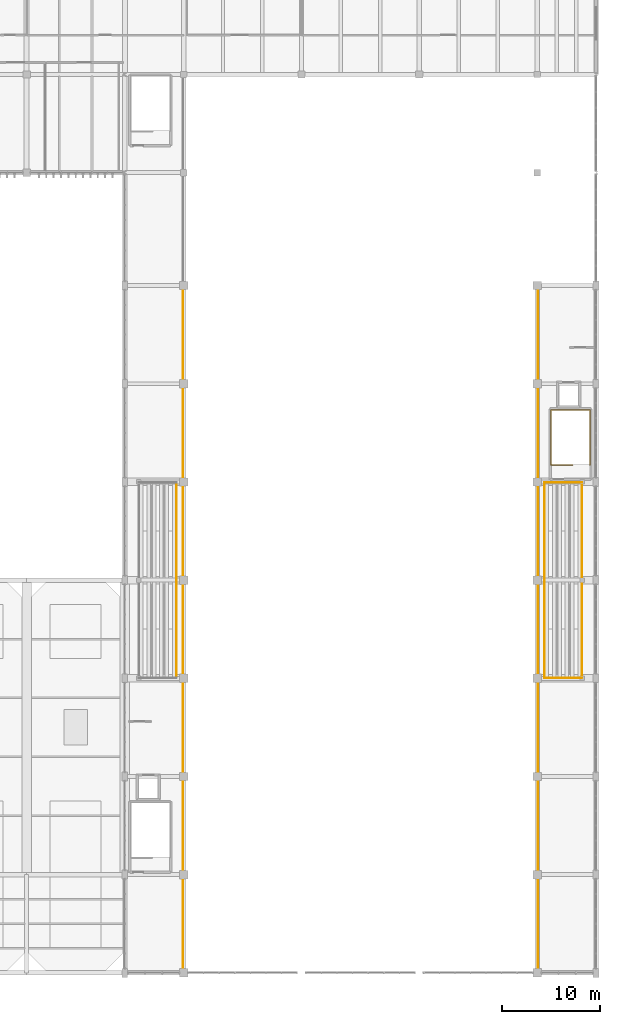
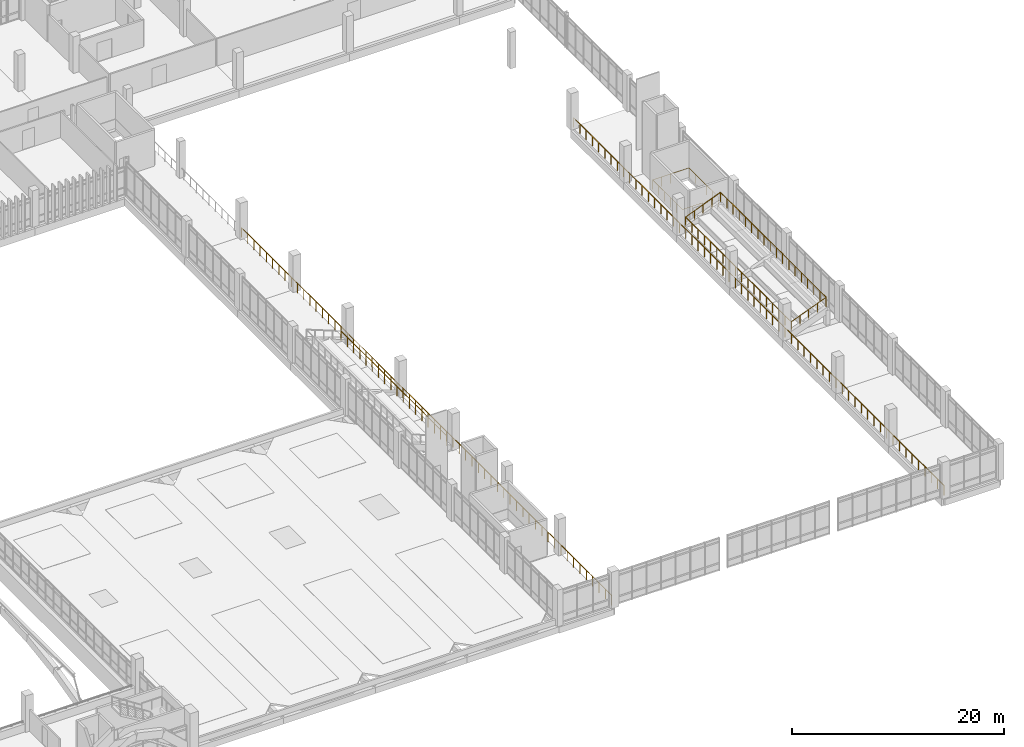
# One storey, part 160 of 161: 12 railings.
"""IFC4 building model written with IfcOpenShell, lengths in metres."""

from ifc_helpers import new_model, si_unit, direction, frame, origin, origin_2d, place, context, subcontext, project, spatial, circle, extrude, material, type_object, element, save


model = new_model("IFC4")

# Units and contexts
model_context = context("Model", 3, precision=1e-05, world=origin(), true_north=direction((0.0, 1.0)))
body_context = subcontext(model_context, "Body", "Model", "MODEL_VIEW")
ifc_project = project(units=[si_unit("LENGTHUNIT", "METRE"), si_unit("AREAUNIT", "SQUARE_METRE"), si_unit("VOLUMEUNIT", "CUBIC_METRE"), si_unit("PLANEANGLEUNIT", "RADIAN"), si_unit("MASSUNIT", "GRAM", prefix="KILO")], contexts=[model_context])

# Site, building, storey
site_placement = place(None, origin())
site = spatial("IfcSite", under=ifc_project, at=site_placement, CompositionType="ELEMENT")
building_placement = place(site_placement, origin())
building = spatial("IfcBuilding", under=site, at=building_placement, Name="Mersad Railyard Sports Hall", CompositionType="ELEMENT")
storey_placement = place(building_placement, frame((0.0, 0.0, 4.800048828125)))
storey = spatial("IfcBuildingStorey", under=building, at=storey_placement, Name="L01", CompositionType="ELEMENT", Elevation=4.800048828125)

# Railings
ifc_material = material(Name="Steel S355", Category="steel")
railing_type = type_object("IfcRailingType", Name="ARC-RL-GR01", PredefinedType="GUARDRAIL", material=ifc_material)
railing_1_placement = place(storey_placement, frame((176.610107421875, 55.2099609375, 0.0)))
element("IfcRailing", 1, at=railing_1_placement, inside=storey, type_object=railing_type, Name="Interior guard GR01-0150", PredefinedType="GUARDRAIL", context=body_context, shape_type="SweptSolid", body=[
    extrude(circle(Radius=0.02392578125, at=origin_2d()), frame((0.0, 0.0, 1.09619140625), z_axis=(-1.0, 0.0, 0.0), x_axis=(0.0, -1.0, 0.0)), (0.0, 0.0, 1.0), 2.190185546875),
    extrude(circle(Radius=0.02392578125, at=origin_2d()), frame((-2.190185546875, 0.0, 1.09619140625), z_axis=(0.0, 1.0, 0.0), x_axis=(-1.0, 0.0, 0.0)), (0.0, 0.0, 1.0), 5.6201171875),
    extrude(circle(Radius=0.02392578125, at=origin_2d()), frame((-2.190185546875, 5.6201171875, 1.09619140625), z_axis=(1.0, 0.0, 0.0), x_axis=(0.0, 1.0, 0.0)), (0.0, 0.0, 1.0), 3.9599609375),
    extrude(circle(Radius=0.02392578125, at=origin_2d()), frame((1.769775390625, 5.6201171875, 1.09619140625), z_axis=(0.0, -1.0, 0.0), x_axis=(1.0, 0.0, 0.0)), (0.0, 0.0, 1.0), 5.6201171875),
    extrude(circle(Radius=0.02099609375, at=origin_2d()), origin(), (0.0, 0.0, 1.0), 1.072021484375),
    extrude(circle(Radius=0.02099609375, at=origin_2d()), frame((-1.09521484375, 0.0, 0.0)), (0.0, 0.0, 1.0), 1.072021484375),
    extrude(circle(Radius=0.02099609375, at=origin_2d()), frame((-2.190185546875, 0.0, 0.0)), (0.0, 0.0, 1.0), 1.072021484375),
    extrude(circle(Radius=0.02099609375, at=origin_2d()), frame((-2.190185546875, 1.1240234375, 0.0)), (0.0, 0.0, 1.0), 1.072021484375),
    extrude(circle(Radius=0.02099609375, at=origin_2d()), frame((-2.190185546875, 2.248046875, 0.0)), (0.0, 0.0, 1.0), 1.072021484375),
    extrude(circle(Radius=0.02099609375, at=origin_2d()), frame((-2.190185546875, 3.3720703125, 0.0)), (0.0, 0.0, 1.0), 1.072021484375),
    extrude(circle(Radius=0.02099609375, at=origin_2d()), frame((-2.190185546875, 4.49609375, 0.0)), (0.0, 0.0, 1.0), 1.072021484375),
    extrude(circle(Radius=0.02099609375, at=origin_2d()), frame((-2.190185546875, 5.6201171875, 0.0)), (0.0, 0.0, 1.0), 1.072021484375),
    extrude(circle(Radius=0.02099609375, at=origin_2d()), frame((-1.2001953125, 5.6201171875, 0.0)), (0.0, 0.0, 1.0), 1.072021484375),
    extrude(circle(Radius=0.02099609375, at=origin_2d()), frame((-0.210205078125, 5.6201171875, 0.0)), (0.0, 0.0, 1.0), 1.072021484375),
    extrude(circle(Radius=0.02099609375, at=origin_2d()), frame((0.77978515625, 5.6201171875, 0.0)), (0.0, 0.0, 1.0), 1.072021484375),
    extrude(circle(Radius=0.02099609375, at=origin_2d()), frame((1.769775390625, 5.6201171875, 0.0)), (0.0, 0.0, 1.0), 1.072021484375),
    extrude(circle(Radius=0.02099609375, at=origin_2d()), frame((1.769775390625, 4.49609375, 0.0)), (0.0, 0.0, 1.0), 1.072021484375),
    extrude(circle(Radius=0.02099609375, at=origin_2d()), frame((1.769775390625, 3.3720703125, 0.0)), (0.0, 0.0, 1.0), 1.072021484375),
    extrude(circle(Radius=0.02099609375, at=origin_2d()), frame((1.769775390625, 2.248046875, 0.0)), (0.0, 0.0, 1.0), 1.072021484375),
    extrude(circle(Radius=0.02099609375, at=origin_2d()), frame((1.769775390625, 1.1240234375, 0.0)), (0.0, 0.0, 1.0), 1.072021484375),
    extrude(circle(Radius=0.02099609375, at=origin_2d()), frame((1.769775390625, 0.0, 0.0)), (0.0, 0.0, 1.0), 1.072021484375),
])
railing_2_placement = place(storey_placement, frame((136.919921875, 3.60009765625, 0.0)))
element("IfcRailing", 2, at=railing_2_placement, inside=storey, type_object=railing_type, Name="Interior guard GR01-0182", PredefinedType="GUARDRAIL", context=body_context, shape_type="SweptSolid", body=[
    extrude(circle(Radius=0.02392578125, at=origin_2d()), frame((0.0, 0.0, 1.09619140625), z_axis=(0.0, 1.0, 0.0), x_axis=(-1.0, 0.0, 0.0)), (0.0, 0.0, 1.0), 29.949951171875),
    extrude(circle(Radius=0.02099609375, at=origin_2d()), origin(), (0.0, 0.0, 1.0), 1.072021484375),
    extrude(circle(Radius=0.02099609375, at=origin_2d()), frame((0.0, 1.197998046875, 0.0)), (0.0, 0.0, 1.0), 1.072021484375),
    extrude(circle(Radius=0.02099609375, at=origin_2d()), frame((0.0, 2.39599609375, 0.0)), (0.0, 0.0, 1.0), 1.072021484375),
    extrude(circle(Radius=0.02099609375, at=origin_2d()), frame((0.0, 3.593994140625, 0.0)), (0.0, 0.0, 1.0), 1.072021484375),
    extrude(circle(Radius=0.02099609375, at=origin_2d()), frame((0.0, 4.7919921875, 0.0)), (0.0, 0.0, 1.0), 1.072021484375),
    extrude(circle(Radius=0.02099609375, at=origin_2d()), frame((0.0, 5.989990234375, 0.0)), (0.0, 0.0, 1.0), 1.072021484375),
    extrude(circle(Radius=0.02099609375, at=origin_2d()), frame((0.0, 7.18798828125, 0.0)), (0.0, 0.0, 1.0), 1.072021484375),
    extrude(circle(Radius=0.02099609375, at=origin_2d()), frame((0.0, 8.385986328125, 0.0)), (0.0, 0.0, 1.0), 1.072021484375),
    extrude(circle(Radius=0.02099609375, at=origin_2d()), frame((0.0, 9.583984375, 0.0)), (0.0, 0.0, 1.0), 1.072021484375),
    extrude(circle(Radius=0.02099609375, at=origin_2d()), frame((0.0, 10.781982421875, 0.0)), (0.0, 0.0, 1.0), 1.072021484375),
    extrude(circle(Radius=0.02099609375, at=origin_2d()), frame((0.0, 11.97998046875, 0.0)), (0.0, 0.0, 1.0), 1.072021484375),
    extrude(circle(Radius=0.02099609375, at=origin_2d()), frame((0.0, 13.177978515625, 0.0)), (0.0, 0.0, 1.0), 1.072021484375),
    extrude(circle(Radius=0.02099609375, at=origin_2d()), frame((0.0, 14.3759765625, 0.0)), (0.0, 0.0, 1.0), 1.072021484375),
    extrude(circle(Radius=0.02099609375, at=origin_2d()), frame((0.0, 15.573974609375, 0.0)), (0.0, 0.0, 1.0), 1.072021484375),
    extrude(circle(Radius=0.02099609375, at=origin_2d()), frame((0.0, 16.77197265625, 0.0)), (0.0, 0.0, 1.0), 1.072021484375),
    extrude(circle(Radius=0.02099609375, at=origin_2d()), frame((0.0, 17.969970703125, 0.0)), (0.0, 0.0, 1.0), 1.072021484375),
    extrude(circle(Radius=0.02099609375, at=origin_2d()), frame((0.0, 19.16796875, 0.0)), (0.0, 0.0, 1.0), 1.072021484375),
    extrude(circle(Radius=0.02099609375, at=origin_2d()), frame((0.0, 20.365966796875, 0.0)), (0.0, 0.0, 1.0), 1.072021484375),
    extrude(circle(Radius=0.02099609375, at=origin_2d()), frame((0.0, 21.56396484375, 0.0)), (0.0, 0.0, 1.0), 1.072021484375),
    extrude(circle(Radius=0.02099609375, at=origin_2d()), frame((0.0, 22.761962890625, 0.0)), (0.0, 0.0, 1.0), 1.072021484375),
    extrude(circle(Radius=0.02099609375, at=origin_2d()), frame((0.0, 23.9599609375, 0.0)), (0.0, 0.0, 1.0), 1.072021484375),
    extrude(circle(Radius=0.02099609375, at=origin_2d()), frame((0.0, 25.157958984375, 0.0)), (0.0, 0.0, 1.0), 1.072021484375),
    extrude(circle(Radius=0.02099609375, at=origin_2d()), frame((0.0, 26.35595703125, 0.0)), (0.0, 0.0, 1.0), 1.072021484375),
    extrude(circle(Radius=0.02099609375, at=origin_2d()), frame((0.0, 27.553955078125, 0.0)), (0.0, 0.0, 1.0), 1.072021484375),
    extrude(circle(Radius=0.02099609375, at=origin_2d()), frame((0.0, 28.751953125, 0.0)), (0.0, 0.0, 1.0), 1.072021484375),
    extrude(circle(Radius=0.02099609375, at=origin_2d()), frame((0.0, 29.949951171875, 0.0)), (0.0, 0.0, 1.0), 1.072021484375),
])
railing_3_placement = place(storey_placement, frame((136.919921875, 53.449951171875, 0.0)))
element("IfcRailing", 3, at=railing_3_placement, inside=storey, type_object=railing_type, Name="Interior guard GR01-0183", PredefinedType="GUARDRAIL", context=body_context, shape_type="SweptSolid", body=[
    extrude(circle(Radius=0.02392578125, at=origin_2d()), frame((0.0, 0.0, 1.09619140625), z_axis=(0.0, 1.0, 0.0), x_axis=(-1.0, 0.0, 0.0)), (0.0, 0.0, 1.0), 19.949951171875),
    extrude(circle(Radius=0.02099609375, at=origin_2d()), origin(), (0.0, 0.0, 1.0), 1.072021484375),
    extrude(circle(Radius=0.02099609375, at=origin_2d()), frame((0.0, 1.173583984375, 0.0)), (0.0, 0.0, 1.0), 1.072021484375),
    extrude(circle(Radius=0.02099609375, at=origin_2d()), frame((0.0, 2.34716796875, 0.0)), (0.0, 0.0, 1.0), 1.072021484375),
    extrude(circle(Radius=0.02099609375, at=origin_2d()), frame((0.0, 3.5205078125, 0.0)), (0.0, 0.0, 1.0), 1.072021484375),
    extrude(circle(Radius=0.02099609375, at=origin_2d()), frame((0.0, 4.694091796875, 0.0)), (0.0, 0.0, 1.0), 1.072021484375),
    extrude(circle(Radius=0.02099609375, at=origin_2d()), frame((0.0, 5.86767578125, 0.0)), (0.0, 0.0, 1.0), 1.072021484375),
    extrude(circle(Radius=0.02099609375, at=origin_2d()), frame((0.0, 7.041259765625, 0.0)), (0.0, 0.0, 1.0), 1.072021484375),
    extrude(circle(Radius=0.02099609375, at=origin_2d()), frame((0.0, 8.214599609375, 0.0)), (0.0, 0.0, 1.0), 1.072021484375),
    extrude(circle(Radius=0.02099609375, at=origin_2d()), frame((0.0, 9.38818359375, 0.0)), (0.0, 0.0, 1.0), 1.072021484375),
    extrude(circle(Radius=0.02099609375, at=origin_2d()), frame((0.0, 10.561767578125, 0.0)), (0.0, 0.0, 1.0), 1.072021484375),
    extrude(circle(Radius=0.02099609375, at=origin_2d()), frame((0.0, 11.7353515625, 0.0)), (0.0, 0.0, 1.0), 1.072021484375),
    extrude(circle(Radius=0.02099609375, at=origin_2d()), frame((0.0, 12.90869140625, 0.0)), (0.0, 0.0, 1.0), 1.072021484375),
    extrude(circle(Radius=0.02099609375, at=origin_2d()), frame((0.0, 14.082275390625, 0.0)), (0.0, 0.0, 1.0), 1.072021484375),
    extrude(circle(Radius=0.02099609375, at=origin_2d()), frame((0.0, 15.255859375, 0.0)), (0.0, 0.0, 1.0), 1.072021484375),
    extrude(circle(Radius=0.02099609375, at=origin_2d()), frame((0.0, 16.429443359375, 0.0)), (0.0, 0.0, 1.0), 1.072021484375),
    extrude(circle(Radius=0.02099609375, at=origin_2d()), frame((0.0, 17.602783203125, 0.0)), (0.0, 0.0, 1.0), 1.072021484375),
    extrude(circle(Radius=0.02099609375, at=origin_2d()), frame((0.0, 18.7763671875, 0.0)), (0.0, 0.0, 1.0), 1.072021484375),
    extrude(circle(Radius=0.02099609375, at=origin_2d()), frame((0.0, 19.949951171875, 0.0)), (0.0, 0.0, 1.0), 1.072021484375),
])
railing_4_placement = place(storey_placement, frame((173.080078125, 3.60009765625, 0.0)))
element("IfcRailing", 4, at=railing_4_placement, inside=storey, type_object=railing_type, Name="Interior guard GR01-0184", PredefinedType="GUARDRAIL", context=body_context, shape_type="SweptSolid", body=[
    extrude(circle(Radius=0.02392578125, at=origin_2d()), frame((0.0, 0.0, 1.09619140625), z_axis=(0.0, 1.0, 0.0), x_axis=(-1.0, 0.0, 0.0)), (0.0, 0.0, 1.0), 29.949951171875),
    extrude(circle(Radius=0.02099609375, at=origin_2d()), origin(), (0.0, 0.0, 1.0), 1.072021484375),
    extrude(circle(Radius=0.02099609375, at=origin_2d()), frame((0.0, 1.197998046875, 0.0)), (0.0, 0.0, 1.0), 1.072021484375),
    extrude(circle(Radius=0.02099609375, at=origin_2d()), frame((0.0, 2.39599609375, 0.0)), (0.0, 0.0, 1.0), 1.072021484375),
    extrude(circle(Radius=0.02099609375, at=origin_2d()), frame((0.0, 3.593994140625, 0.0)), (0.0, 0.0, 1.0), 1.072021484375),
    extrude(circle(Radius=0.02099609375, at=origin_2d()), frame((0.0, 4.7919921875, 0.0)), (0.0, 0.0, 1.0), 1.072021484375),
    extrude(circle(Radius=0.02099609375, at=origin_2d()), frame((0.0, 5.989990234375, 0.0)), (0.0, 0.0, 1.0), 1.072021484375),
    extrude(circle(Radius=0.02099609375, at=origin_2d()), frame((0.0, 7.18798828125, 0.0)), (0.0, 0.0, 1.0), 1.072021484375),
    extrude(circle(Radius=0.02099609375, at=origin_2d()), frame((0.0, 8.385986328125, 0.0)), (0.0, 0.0, 1.0), 1.072021484375),
    extrude(circle(Radius=0.02099609375, at=origin_2d()), frame((0.0, 9.583984375, 0.0)), (0.0, 0.0, 1.0), 1.072021484375),
    extrude(circle(Radius=0.02099609375, at=origin_2d()), frame((0.0, 10.781982421875, 0.0)), (0.0, 0.0, 1.0), 1.072021484375),
    extrude(circle(Radius=0.02099609375, at=origin_2d()), frame((0.0, 11.97998046875, 0.0)), (0.0, 0.0, 1.0), 1.072021484375),
    extrude(circle(Radius=0.02099609375, at=origin_2d()), frame((0.0, 13.177978515625, 0.0)), (0.0, 0.0, 1.0), 1.072021484375),
    extrude(circle(Radius=0.02099609375, at=origin_2d()), frame((0.0, 14.3759765625, 0.0)), (0.0, 0.0, 1.0), 1.072021484375),
    extrude(circle(Radius=0.02099609375, at=origin_2d()), frame((0.0, 15.573974609375, 0.0)), (0.0, 0.0, 1.0), 1.072021484375),
    extrude(circle(Radius=0.02099609375, at=origin_2d()), frame((0.0, 16.77197265625, 0.0)), (0.0, 0.0, 1.0), 1.072021484375),
    extrude(circle(Radius=0.02099609375, at=origin_2d()), frame((0.0, 17.969970703125, 0.0)), (0.0, 0.0, 1.0), 1.072021484375),
    extrude(circle(Radius=0.02099609375, at=origin_2d()), frame((0.0, 19.16796875, 0.0)), (0.0, 0.0, 1.0), 1.072021484375),
    extrude(circle(Radius=0.02099609375, at=origin_2d()), frame((0.0, 20.365966796875, 0.0)), (0.0, 0.0, 1.0), 1.072021484375),
    extrude(circle(Radius=0.02099609375, at=origin_2d()), frame((0.0, 21.56396484375, 0.0)), (0.0, 0.0, 1.0), 1.072021484375),
    extrude(circle(Radius=0.02099609375, at=origin_2d()), frame((0.0, 22.761962890625, 0.0)), (0.0, 0.0, 1.0), 1.072021484375),
    extrude(circle(Radius=0.02099609375, at=origin_2d()), frame((0.0, 23.9599609375, 0.0)), (0.0, 0.0, 1.0), 1.072021484375),
    extrude(circle(Radius=0.02099609375, at=origin_2d()), frame((0.0, 25.157958984375, 0.0)), (0.0, 0.0, 1.0), 1.072021484375),
    extrude(circle(Radius=0.02099609375, at=origin_2d()), frame((0.0, 26.35595703125, 0.0)), (0.0, 0.0, 1.0), 1.072021484375),
    extrude(circle(Radius=0.02099609375, at=origin_2d()), frame((0.0, 27.553955078125, 0.0)), (0.0, 0.0, 1.0), 1.072021484375),
    extrude(circle(Radius=0.02099609375, at=origin_2d()), frame((0.0, 28.751953125, 0.0)), (0.0, 0.0, 1.0), 1.072021484375),
    extrude(circle(Radius=0.02099609375, at=origin_2d()), frame((0.0, 29.949951171875, 0.0)), (0.0, 0.0, 1.0), 1.072021484375),
])
railing_5_placement = place(storey_placement, frame((173.080078125, 53.449951171875, 0.0)))
element("IfcRailing", 5, at=railing_5_placement, inside=storey, type_object=railing_type, Name="Interior guard GR01-0185", PredefinedType="GUARDRAIL", context=body_context, shape_type="SweptSolid", body=[
    extrude(circle(Radius=0.02392578125, at=origin_2d()), frame((0.0, 0.0, 1.09619140625), z_axis=(0.0, 1.0, 0.0), x_axis=(-1.0, 0.0, 0.0)), (0.0, 0.0, 1.0), 19.949951171875),
    extrude(circle(Radius=0.02099609375, at=origin_2d()), origin(), (0.0, 0.0, 1.0), 1.072021484375),
    extrude(circle(Radius=0.02099609375, at=origin_2d()), frame((0.0, 1.173583984375, 0.0)), (0.0, 0.0, 1.0), 1.072021484375),
    extrude(circle(Radius=0.02099609375, at=origin_2d()), frame((0.0, 2.34716796875, 0.0)), (0.0, 0.0, 1.0), 1.072021484375),
    extrude(circle(Radius=0.02099609375, at=origin_2d()), frame((0.0, 3.5205078125, 0.0)), (0.0, 0.0, 1.0), 1.072021484375),
    extrude(circle(Radius=0.02099609375, at=origin_2d()), frame((0.0, 4.694091796875, 0.0)), (0.0, 0.0, 1.0), 1.072021484375),
    extrude(circle(Radius=0.02099609375, at=origin_2d()), frame((0.0, 5.86767578125, 0.0)), (0.0, 0.0, 1.0), 1.072021484375),
    extrude(circle(Radius=0.02099609375, at=origin_2d()), frame((0.0, 7.041259765625, 0.0)), (0.0, 0.0, 1.0), 1.072021484375),
    extrude(circle(Radius=0.02099609375, at=origin_2d()), frame((0.0, 8.214599609375, 0.0)), (0.0, 0.0, 1.0), 1.072021484375),
    extrude(circle(Radius=0.02099609375, at=origin_2d()), frame((0.0, 9.38818359375, 0.0)), (0.0, 0.0, 1.0), 1.072021484375),
    extrude(circle(Radius=0.02099609375, at=origin_2d()), frame((0.0, 10.561767578125, 0.0)), (0.0, 0.0, 1.0), 1.072021484375),
    extrude(circle(Radius=0.02099609375, at=origin_2d()), frame((0.0, 11.7353515625, 0.0)), (0.0, 0.0, 1.0), 1.072021484375),
    extrude(circle(Radius=0.02099609375, at=origin_2d()), frame((0.0, 12.90869140625, 0.0)), (0.0, 0.0, 1.0), 1.072021484375),
    extrude(circle(Radius=0.02099609375, at=origin_2d()), frame((0.0, 14.082275390625, 0.0)), (0.0, 0.0, 1.0), 1.072021484375),
    extrude(circle(Radius=0.02099609375, at=origin_2d()), frame((0.0, 15.255859375, 0.0)), (0.0, 0.0, 1.0), 1.072021484375),
    extrude(circle(Radius=0.02099609375, at=origin_2d()), frame((0.0, 16.429443359375, 0.0)), (0.0, 0.0, 1.0), 1.072021484375),
    extrude(circle(Radius=0.02099609375, at=origin_2d()), frame((0.0, 17.602783203125, 0.0)), (0.0, 0.0, 1.0), 1.072021484375),
    extrude(circle(Radius=0.02099609375, at=origin_2d()), frame((0.0, 18.7763671875, 0.0)), (0.0, 0.0, 1.0), 1.072021484375),
    extrude(circle(Radius=0.02099609375, at=origin_2d()), frame((0.0, 19.949951171875, 0.0)), (0.0, 0.0, 1.0), 1.072021484375),
])
railing_6_placement = place(storey_placement, frame((136.25, 33.550048828125, 0.449951171875)))
element("IfcRailing", 6, at=railing_6_placement, inside=storey, type_object=railing_type, Name="Interior guard GR01-0187", PredefinedType="GUARDRAIL", context=body_context, shape_type="SweptSolid", body=[
    extrude(circle(Radius=0.02392578125, at=origin_2d()), frame((0.0, 0.0, 1.09619140625), z_axis=(0.0, 1.0, 0.0), x_axis=(-1.0, 0.0, 0.0)), (0.0, 0.0, 1.0), 19.89990234375),
    extrude(circle(Radius=0.02099609375, at=origin_2d()), origin(), (0.0, 0.0, 1.0), 1.072021484375),
    extrude(circle(Radius=0.02099609375, at=origin_2d()), frame((0.0, 1.170654296875, 0.0)), (0.0, 0.0, 1.0), 1.072021484375),
    extrude(circle(Radius=0.02099609375, at=origin_2d()), frame((0.0, 2.341064453125, 0.0)), (0.0, 0.0, 1.0), 1.072021484375),
    extrude(circle(Radius=0.02099609375, at=origin_2d()), frame((0.0, 3.51171875, 0.0)), (0.0, 0.0, 1.0), 1.072021484375),
    extrude(circle(Radius=0.02099609375, at=origin_2d()), frame((0.0, 4.682373046875, 0.0)), (0.0, 0.0, 1.0), 1.072021484375),
    extrude(circle(Radius=0.02099609375, at=origin_2d()), frame((0.0, 5.85302734375, 0.0)), (0.0, 0.0, 1.0), 1.072021484375),
    extrude(circle(Radius=0.02099609375, at=origin_2d()), frame((0.0, 7.0234375, 0.0)), (0.0, 0.0, 1.0), 1.072021484375),
    extrude(circle(Radius=0.02099609375, at=origin_2d()), frame((0.0, 8.194091796875, 0.0)), (0.0, 0.0, 1.0), 1.072021484375),
    extrude(circle(Radius=0.02099609375, at=origin_2d()), frame((0.0, 9.36474609375, 0.0)), (0.0, 0.0, 1.0), 1.072021484375),
    extrude(circle(Radius=0.02099609375, at=origin_2d()), frame((0.0, 10.53515625, 0.0)), (0.0, 0.0, 1.0), 1.072021484375),
    extrude(circle(Radius=0.02099609375, at=origin_2d()), frame((0.0, 11.705810546875, 0.0)), (0.0, 0.0, 1.0), 1.072021484375),
    extrude(circle(Radius=0.02099609375, at=origin_2d()), frame((0.0, 12.87646484375, 0.0)), (0.0, 0.0, 1.0), 1.072021484375),
    extrude(circle(Radius=0.02099609375, at=origin_2d()), frame((0.0, 14.046875, 0.0)), (0.0, 0.0, 1.0), 1.072021484375),
    extrude(circle(Radius=0.02099609375, at=origin_2d()), frame((0.0, 15.217529296875, 0.0)), (0.0, 0.0, 1.0), 1.072021484375),
    extrude(circle(Radius=0.02099609375, at=origin_2d()), frame((0.0, 16.38818359375, 0.0)), (0.0, 0.0, 1.0), 1.072021484375),
    extrude(circle(Radius=0.02099609375, at=origin_2d()), frame((0.0, 17.558837890625, 0.0)), (0.0, 0.0, 1.0), 1.072021484375),
    extrude(circle(Radius=0.02099609375, at=origin_2d()), frame((0.0, 18.729248046875, 0.0)), (0.0, 0.0, 1.0), 1.072021484375),
    extrude(circle(Radius=0.02099609375, at=origin_2d()), frame((0.0, 19.89990234375, 0.0)), (0.0, 0.0, 1.0), 1.072021484375),
])
railing_7_placement = place(storey_placement, frame((177.550048828125, 33.550048828125, 1.949951171875)))
element("IfcRailing", 7, at=railing_7_placement, inside=storey, type_object=railing_type, Name="Interior guard GR01-0190", PredefinedType="GUARDRAIL", context=body_context, shape_type="SweptSolid", body=[
    extrude(circle(Radius=0.02392578125, at=origin_2d()), frame((0.0, 0.0, 1.09619140625), z_axis=(0.0, 1.0, 0.0), x_axis=(-1.0, 0.0, 0.0)), (0.0, 0.0, 1.0), 19.89990234375),
    extrude(circle(Radius=0.02099609375, at=origin_2d()), origin(), (0.0, 0.0, 1.0), 1.072021484375),
    extrude(circle(Radius=0.02099609375, at=origin_2d()), frame((0.0, 1.170654296875, 0.0)), (0.0, 0.0, 1.0), 1.072021484375),
    extrude(circle(Radius=0.02099609375, at=origin_2d()), frame((0.0, 2.341064453125, 0.0)), (0.0, 0.0, 1.0), 1.072021484375),
    extrude(circle(Radius=0.02099609375, at=origin_2d()), frame((0.0, 3.51171875, 0.0)), (0.0, 0.0, 1.0), 1.072021484375),
    extrude(circle(Radius=0.02099609375, at=origin_2d()), frame((0.0, 4.682373046875, 0.0)), (0.0, 0.0, 1.0), 1.072021484375),
    extrude(circle(Radius=0.02099609375, at=origin_2d()), frame((0.0, 5.85302734375, 0.0)), (0.0, 0.0, 1.0), 1.072021484375),
    extrude(circle(Radius=0.02099609375, at=origin_2d()), frame((0.0, 7.0234375, 0.0)), (0.0, 0.0, 1.0), 1.072021484375),
    extrude(circle(Radius=0.02099609375, at=origin_2d()), frame((0.0, 8.194091796875, 0.0)), (0.0, 0.0, 1.0), 1.072021484375),
    extrude(circle(Radius=0.02099609375, at=origin_2d()), frame((0.0, 9.36474609375, 0.0)), (0.0, 0.0, 1.0), 1.072021484375),
    extrude(circle(Radius=0.02099609375, at=origin_2d()), frame((0.0, 10.53515625, 0.0)), (0.0, 0.0, 1.0), 1.072021484375),
    extrude(circle(Radius=0.02099609375, at=origin_2d()), frame((0.0, 11.705810546875, 0.0)), (0.0, 0.0, 1.0), 1.072021484375),
    extrude(circle(Radius=0.02099609375, at=origin_2d()), frame((0.0, 12.87646484375, 0.0)), (0.0, 0.0, 1.0), 1.072021484375),
    extrude(circle(Radius=0.02099609375, at=origin_2d()), frame((0.0, 14.046875, 0.0)), (0.0, 0.0, 1.0), 1.072021484375),
    extrude(circle(Radius=0.02099609375, at=origin_2d()), frame((0.0, 15.217529296875, 0.0)), (0.0, 0.0, 1.0), 1.072021484375),
    extrude(circle(Radius=0.02099609375, at=origin_2d()), frame((0.0, 16.38818359375, 0.0)), (0.0, 0.0, 1.0), 1.072021484375),
    extrude(circle(Radius=0.02099609375, at=origin_2d()), frame((0.0, 17.558837890625, 0.0)), (0.0, 0.0, 1.0), 1.072021484375),
    extrude(circle(Radius=0.02099609375, at=origin_2d()), frame((0.0, 18.729248046875, 0.0)), (0.0, 0.0, 1.0), 1.072021484375),
    extrude(circle(Radius=0.02099609375, at=origin_2d()), frame((0.0, 19.89990234375, 0.0)), (0.0, 0.0, 1.0), 1.072021484375),
])
railing_8_placement = place(storey_placement, frame((173.75, 33.550048828125, 0.449951171875)))
element("IfcRailing", 8, at=railing_8_placement, inside=storey, type_object=railing_type, Name="Interior guard GR01-0191", PredefinedType="GUARDRAIL", context=body_context, shape_type="SweptSolid", body=[
    extrude(circle(Radius=0.02392578125, at=origin_2d()), frame((0.0, 0.0, 1.09619140625), z_axis=(0.0, 1.0, 0.0), x_axis=(-1.0, 0.0, 0.0)), (0.0, 0.0, 1.0), 19.89990234375),
    extrude(circle(Radius=0.02099609375, at=origin_2d()), origin(), (0.0, 0.0, 1.0), 1.072021484375),
    extrude(circle(Radius=0.02099609375, at=origin_2d()), frame((0.0, 1.170654296875, 0.0)), (0.0, 0.0, 1.0), 1.072021484375),
    extrude(circle(Radius=0.02099609375, at=origin_2d()), frame((0.0, 2.341064453125, 0.0)), (0.0, 0.0, 1.0), 1.072021484375),
    extrude(circle(Radius=0.02099609375, at=origin_2d()), frame((0.0, 3.51171875, 0.0)), (0.0, 0.0, 1.0), 1.072021484375),
    extrude(circle(Radius=0.02099609375, at=origin_2d()), frame((0.0, 4.682373046875, 0.0)), (0.0, 0.0, 1.0), 1.072021484375),
    extrude(circle(Radius=0.02099609375, at=origin_2d()), frame((0.0, 5.85302734375, 0.0)), (0.0, 0.0, 1.0), 1.072021484375),
    extrude(circle(Radius=0.02099609375, at=origin_2d()), frame((0.0, 7.0234375, 0.0)), (0.0, 0.0, 1.0), 1.072021484375),
    extrude(circle(Radius=0.02099609375, at=origin_2d()), frame((0.0, 8.194091796875, 0.0)), (0.0, 0.0, 1.0), 1.072021484375),
    extrude(circle(Radius=0.02099609375, at=origin_2d()), frame((0.0, 9.36474609375, 0.0)), (0.0, 0.0, 1.0), 1.072021484375),
    extrude(circle(Radius=0.02099609375, at=origin_2d()), frame((0.0, 10.53515625, 0.0)), (0.0, 0.0, 1.0), 1.072021484375),
    extrude(circle(Radius=0.02099609375, at=origin_2d()), frame((0.0, 11.705810546875, 0.0)), (0.0, 0.0, 1.0), 1.072021484375),
    extrude(circle(Radius=0.02099609375, at=origin_2d()), frame((0.0, 12.87646484375, 0.0)), (0.0, 0.0, 1.0), 1.072021484375),
    extrude(circle(Radius=0.02099609375, at=origin_2d()), frame((0.0, 14.046875, 0.0)), (0.0, 0.0, 1.0), 1.072021484375),
    extrude(circle(Radius=0.02099609375, at=origin_2d()), frame((0.0, 15.217529296875, 0.0)), (0.0, 0.0, 1.0), 1.072021484375),
    extrude(circle(Radius=0.02099609375, at=origin_2d()), frame((0.0, 16.38818359375, 0.0)), (0.0, 0.0, 1.0), 1.072021484375),
    extrude(circle(Radius=0.02099609375, at=origin_2d()), frame((0.0, 17.558837890625, 0.0)), (0.0, 0.0, 1.0), 1.072021484375),
    extrude(circle(Radius=0.02099609375, at=origin_2d()), frame((0.0, 18.729248046875, 0.0)), (0.0, 0.0, 1.0), 1.072021484375),
    extrude(circle(Radius=0.02099609375, at=origin_2d()), frame((0.0, 19.89990234375, 0.0)), (0.0, 0.0, 1.0), 1.072021484375),
])
for number, where, name in (
    (9, (177.550048828125, 33.550048828125, 1.949951171875), "Interior guard GR01-0192"),
    (10, (177.550048828125, 53.449951171875, 1.949951171875), "Interior guard GR01-0193"),
):
    element("IfcRailing", number, at=place(storey_placement, frame(where)), inside=storey, type_object=railing_type, Name=name, PredefinedType="GUARDRAIL", context=body_context, shape_type="SweptSolid", body=[
        extrude(circle(Radius=0.02392578125, at=origin_2d()), frame((0.0, 0.0, 1.09619140625), z_axis=(-0.930156832573, 0.0, -0.367162452896), x_axis=(0.0, -1.0, 0.0)), (0.0, 0.0, 1.0), 4.08544921875),
        extrude(circle(Radius=0.02099609375, at=origin_2d()), origin(), (0.0, 0.0, 1.0), 1.072021484375),
        extrude(circle(Radius=0.02099609375, at=origin_2d()), frame((-0.949951171875, 0.0, -0.375)), (0.0, 0.0, 1.0), 1.072021484375),
        extrude(circle(Radius=0.02099609375, at=origin_2d()), frame((-1.89990234375, 0.0, -0.75)), (0.0, 0.0, 1.0), 1.072021484375),
        extrude(circle(Radius=0.02099609375, at=origin_2d()), frame((-2.85009765625, 0.0, -1.125)), (0.0, 0.0, 1.0), 1.072021484375),
        extrude(circle(Radius=0.02099609375, at=origin_2d()), frame((-3.800048828125, 0.0, -1.5)), (0.0, 0.0, 1.0), 1.072021484375),
    ])
railing_9_placement = place(storey_placement, frame((136.919921875, 33.550048828125, 0.0)))
element("IfcRailing", 11, at=railing_9_placement, inside=storey, type_object=railing_type, Name="Interior guard GR01-0194", PredefinedType="GUARDRAIL", context=body_context, shape_type="SweptSolid", body=[
    extrude(circle(Radius=0.02392578125, at=origin_2d()), frame((0.0, 0.0, 1.09619140625), z_axis=(0.0, 1.0, 0.0), x_axis=(-1.0, 0.0, 0.0)), (0.0, 0.0, 1.0), 19.89990234375),
    extrude(circle(Radius=0.02099609375, at=origin_2d()), origin(), (0.0, 0.0, 1.0), 1.072021484375),
    extrude(circle(Radius=0.02099609375, at=origin_2d()), frame((0.0, 1.170654296875, 0.0)), (0.0, 0.0, 1.0), 1.072021484375),
    extrude(circle(Radius=0.02099609375, at=origin_2d()), frame((0.0, 2.341064453125, 0.0)), (0.0, 0.0, 1.0), 1.072021484375),
    extrude(circle(Radius=0.02099609375, at=origin_2d()), frame((0.0, 3.51171875, 0.0)), (0.0, 0.0, 1.0), 1.072021484375),
    extrude(circle(Radius=0.02099609375, at=origin_2d()), frame((0.0, 4.682373046875, 0.0)), (0.0, 0.0, 1.0), 1.072021484375),
    extrude(circle(Radius=0.02099609375, at=origin_2d()), frame((0.0, 5.85302734375, 0.0)), (0.0, 0.0, 1.0), 1.072021484375),
    extrude(circle(Radius=0.02099609375, at=origin_2d()), frame((0.0, 7.0234375, 0.0)), (0.0, 0.0, 1.0), 1.072021484375),
    extrude(circle(Radius=0.02099609375, at=origin_2d()), frame((0.0, 8.194091796875, 0.0)), (0.0, 0.0, 1.0), 1.072021484375),
    extrude(circle(Radius=0.02099609375, at=origin_2d()), frame((0.0, 9.36474609375, 0.0)), (0.0, 0.0, 1.0), 1.072021484375),
    extrude(circle(Radius=0.02099609375, at=origin_2d()), frame((0.0, 10.53515625, 0.0)), (0.0, 0.0, 1.0), 1.072021484375),
    extrude(circle(Radius=0.02099609375, at=origin_2d()), frame((0.0, 11.705810546875, 0.0)), (0.0, 0.0, 1.0), 1.072021484375),
    extrude(circle(Radius=0.02099609375, at=origin_2d()), frame((0.0, 12.87646484375, 0.0)), (0.0, 0.0, 1.0), 1.072021484375),
    extrude(circle(Radius=0.02099609375, at=origin_2d()), frame((0.0, 14.046875, 0.0)), (0.0, 0.0, 1.0), 1.072021484375),
    extrude(circle(Radius=0.02099609375, at=origin_2d()), frame((0.0, 15.217529296875, 0.0)), (0.0, 0.0, 1.0), 1.072021484375),
    extrude(circle(Radius=0.02099609375, at=origin_2d()), frame((0.0, 16.38818359375, 0.0)), (0.0, 0.0, 1.0), 1.072021484375),
    extrude(circle(Radius=0.02099609375, at=origin_2d()), frame((0.0, 17.558837890625, 0.0)), (0.0, 0.0, 1.0), 1.072021484375),
    extrude(circle(Radius=0.02099609375, at=origin_2d()), frame((0.0, 18.729248046875, 0.0)), (0.0, 0.0, 1.0), 1.072021484375),
    extrude(circle(Radius=0.02099609375, at=origin_2d()), frame((0.0, 19.89990234375, 0.0)), (0.0, 0.0, 1.0), 1.072021484375),
])
railing_10_placement = place(storey_placement, frame((173.080078125, 33.550048828125, 0.0)))
element("IfcRailing", 12, at=railing_10_placement, inside=storey, type_object=railing_type, Name="Interior guard GR01-0195", PredefinedType="GUARDRAIL", context=body_context, shape_type="SweptSolid", body=[
    extrude(circle(Radius=0.02392578125, at=origin_2d()), frame((0.0, 0.0, 1.09619140625), z_axis=(0.0, 1.0, 0.0), x_axis=(-1.0, 0.0, 0.0)), (0.0, 0.0, 1.0), 19.89990234375),
    extrude(circle(Radius=0.02099609375, at=origin_2d()), origin(), (0.0, 0.0, 1.0), 1.072021484375),
    extrude(circle(Radius=0.02099609375, at=origin_2d()), frame((0.0, 1.170654296875, 0.0)), (0.0, 0.0, 1.0), 1.072021484375),
    extrude(circle(Radius=0.02099609375, at=origin_2d()), frame((0.0, 2.341064453125, 0.0)), (0.0, 0.0, 1.0), 1.072021484375),
    extrude(circle(Radius=0.02099609375, at=origin_2d()), frame((0.0, 3.51171875, 0.0)), (0.0, 0.0, 1.0), 1.072021484375),
    extrude(circle(Radius=0.02099609375, at=origin_2d()), frame((0.0, 4.682373046875, 0.0)), (0.0, 0.0, 1.0), 1.072021484375),
    extrude(circle(Radius=0.02099609375, at=origin_2d()), frame((0.0, 5.85302734375, 0.0)), (0.0, 0.0, 1.0), 1.072021484375),
    extrude(circle(Radius=0.02099609375, at=origin_2d()), frame((0.0, 7.0234375, 0.0)), (0.0, 0.0, 1.0), 1.072021484375),
    extrude(circle(Radius=0.02099609375, at=origin_2d()), frame((0.0, 8.194091796875, 0.0)), (0.0, 0.0, 1.0), 1.072021484375),
    extrude(circle(Radius=0.02099609375, at=origin_2d()), frame((0.0, 9.36474609375, 0.0)), (0.0, 0.0, 1.0), 1.072021484375),
    extrude(circle(Radius=0.02099609375, at=origin_2d()), frame((0.0, 10.53515625, 0.0)), (0.0, 0.0, 1.0), 1.072021484375),
    extrude(circle(Radius=0.02099609375, at=origin_2d()), frame((0.0, 11.705810546875, 0.0)), (0.0, 0.0, 1.0), 1.072021484375),
    extrude(circle(Radius=0.02099609375, at=origin_2d()), frame((0.0, 12.87646484375, 0.0)), (0.0, 0.0, 1.0), 1.072021484375),
    extrude(circle(Radius=0.02099609375, at=origin_2d()), frame((0.0, 14.046875, 0.0)), (0.0, 0.0, 1.0), 1.072021484375),
    extrude(circle(Radius=0.02099609375, at=origin_2d()), frame((0.0, 15.217529296875, 0.0)), (0.0, 0.0, 1.0), 1.072021484375),
    extrude(circle(Radius=0.02099609375, at=origin_2d()), frame((0.0, 16.38818359375, 0.0)), (0.0, 0.0, 1.0), 1.072021484375),
    extrude(circle(Radius=0.02099609375, at=origin_2d()), frame((0.0, 17.558837890625, 0.0)), (0.0, 0.0, 1.0), 1.072021484375),
    extrude(circle(Radius=0.02099609375, at=origin_2d()), frame((0.0, 18.729248046875, 0.0)), (0.0, 0.0, 1.0), 1.072021484375),
    extrude(circle(Radius=0.02099609375, at=origin_2d()), frame((0.0, 19.89990234375, 0.0)), (0.0, 0.0, 1.0), 1.072021484375),
])

save(model, "model.ifc")
